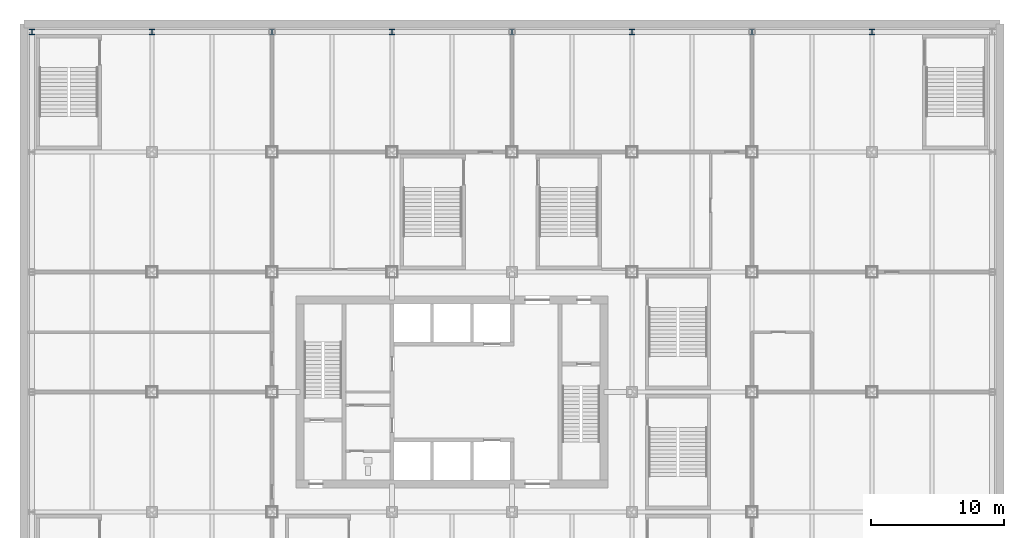
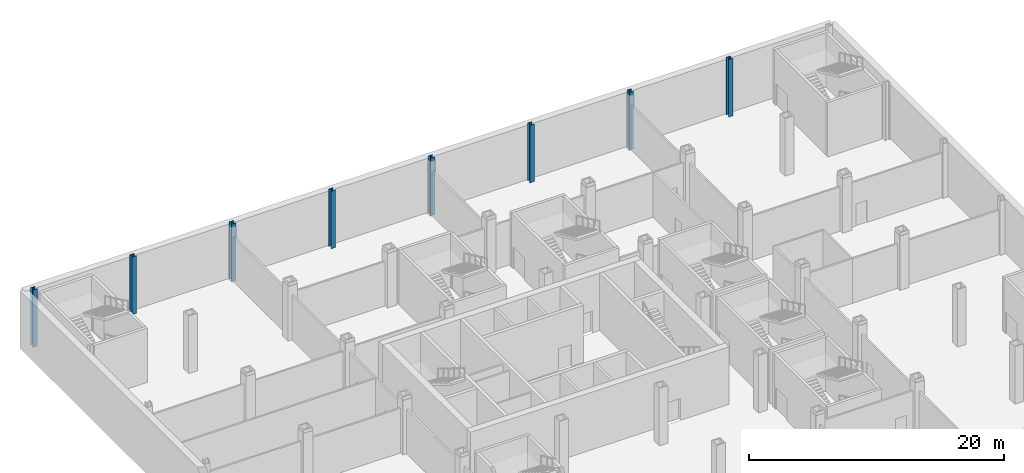
# One storey, part 4 of 27: 8 columns.
"""IFC4 building model written with IfcOpenShell, lengths in metres."""

from ifc_helpers import new_model, si_unit, direction, frame, origin, origin_2d, place, context, subcontext, project, spatial, i_section, extrude, material, material_profile, profile_set, type_object, element, save


model = new_model("IFC4")

# Units and contexts
model_context = context("Model", 3, precision=1e-05, world=origin(), true_north=direction((0.0, 1.0)))
body_context = subcontext(model_context, "Body", "Model", "MODEL_VIEW")
ifc_project = project(units=[si_unit("LENGTHUNIT", "METRE"), si_unit("AREAUNIT", "SQUARE_METRE"), si_unit("VOLUMEUNIT", "CUBIC_METRE"), si_unit("PLANEANGLEUNIT", "RADIAN"), si_unit("MASSUNIT", "GRAM", prefix="KILO")], contexts=[model_context])

# Site, building, storey
site_placement = place(None, origin())
site = spatial("IfcSite", under=ifc_project, at=site_placement, CompositionType="ELEMENT")
building_placement = place(site_placement, origin())
building = spatial("IfcBuilding", under=site, at=building_placement, Name="Loomwork Tower", CompositionType="ELEMENT")
storey_placement = place(building_placement, frame((0.0, 0.0, -5.5)))
storey = spatial("IfcBuildingStorey", under=building, at=storey_placement, Name="B1", CompositionType="ELEMENT", Elevation=-5.5)

# Columns
ifc_material = material(Name="Steel ASTM A992", Category="steel")
ifc_material_profile = material_profile(ifc_material, i_section(OverallWidth=0.4013671875, OverallDepth=0.398681640625, WebThickness=0.02490234375, FlangeThickness=0.03955078125, at=origin_2d()), Name="W14x211")
ifc_profile_set = profile_set([ifc_material_profile], Name="Steel ASTM A992")
column_type = type_object("IfcColumnType", Name="PODIUM COLUMN W14x211", PredefinedType="COLUMN", material=ifc_profile_set)
for number, where, z_axis, x_axis, name in (
    (1, (-9.0, 45.0, 0.0), (0.0, 0.0, 1.0), (1.0, 0.0, 0.0), "Podium Column J/1 B1"),
    (2, (0.0, 45.0, 0.0), (0.0, 0.0, 1.0), (1.0, 0.0, 0.0), "Podium Column J/2 B1"),
    (3, (9.0, 45.0, 0.0), (0.0, 0.0, 1.0), (1.0, 0.0, 0.0), "Podium Column J/3 B1"),
    (4, (18.0, 45.0, 0.0), (0.0, 0.0, 1.0), (1.0, 0.0, 0.0), "Podium Column J/4 B1"),
    (5, (27.0, 45.0, 0.0), (0.0, 0.0, 1.0), (1.0, 0.0, 0.0), "Podium Column J/5 B1"),
    (6, (36.0, 45.0, 0.0), (0.0, 0.0, 1.0), (1.0, 0.0, 0.0), "Podium Column J/6 B1"),
    (7, (45.0, 45.0, 0.0), (0.0, 0.0, 1.0), (1.0, 0.0, 0.0), "Podium Column J/7 B1"),
    (8, (54.0, 45.0, 0.0), (0.0, 0.0, 1.0), (1.0, 0.0, 0.0), "Podium Column J/8 B1"),
):
    element("IfcColumn", number, at=place(storey_placement, frame(where, z_axis=z_axis, x_axis=x_axis)), inside=storey, type_object=column_type, Name=name, PredefinedType="COLUMN", context=body_context, shape_type="SweptSolid", body=[
        extrude(i_section(OverallWidth=0.4013671875, OverallDepth=0.398681640625, WebThickness=0.02490234375, FlangeThickness=0.03955078125, at=origin_2d()), origin(), (0.0, 0.0, 1.0), 5.5),
    ])

save(model, "model.ifc")
